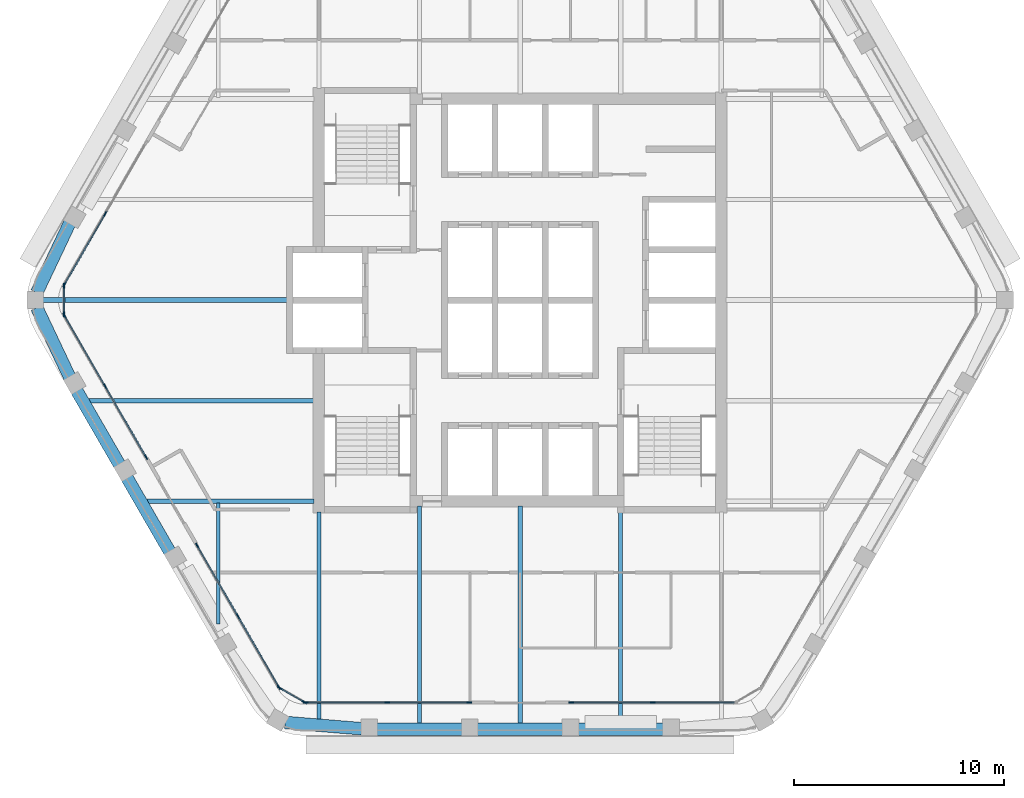
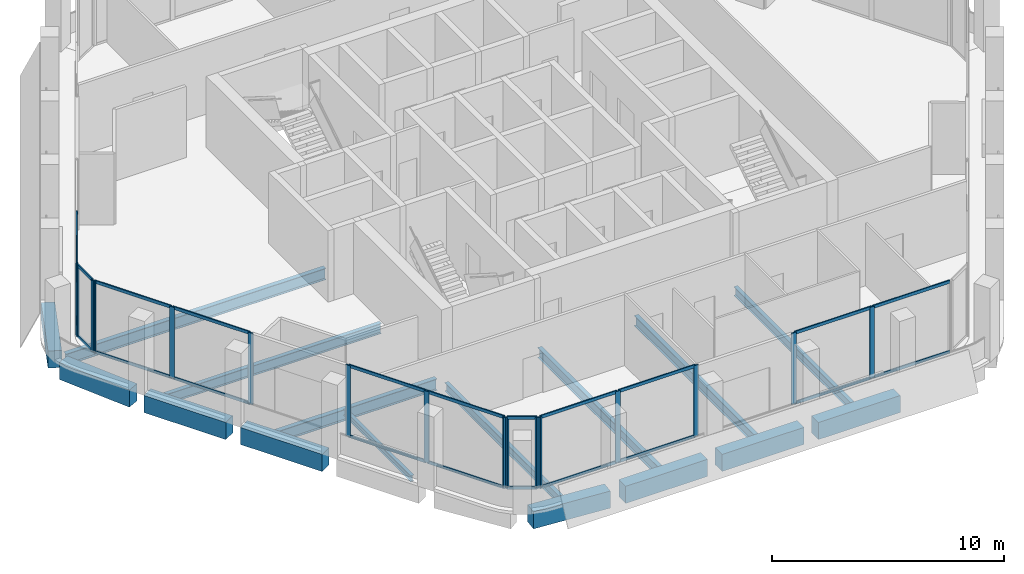
# One storey, part 2 of 13: 39 members, 16 beams, 7 elements without a shape of their own.
"""IFC4 building model written with IfcOpenShell, lengths in metres."""

from ifc_helpers import new_model, si_unit, direction, frame, origin, origin_2d, place, context, subcontext, project, spatial, rectangle, i_section, extrude, material, material_profile, profile_set, type_object, element, aggregate, save


model = new_model("IFC4")

# Units and contexts
model_context = context("Model", 3, precision=1e-05, world=origin(), true_north=direction((0.0, 1.0)))
body_context = subcontext(model_context, "Body", "Model", "MODEL_VIEW")
ifc_project = project(units=[si_unit("LENGTHUNIT", "METRE"), si_unit("AREAUNIT", "SQUARE_METRE"), si_unit("VOLUMEUNIT", "CUBIC_METRE"), si_unit("PLANEANGLEUNIT", "RADIAN"), si_unit("MASSUNIT", "GRAM", prefix="KILO")], contexts=[model_context])

# Site, building, storey
site_placement = place(None, origin())
site = spatial("IfcSite", under=ifc_project, at=site_placement, CompositionType="ELEMENT")
building_placement = place(site_placement, origin())
building = spatial("IfcBuilding", under=site, at=building_placement, Name="Kolab Exchange Tower", CompositionType="ELEMENT")
storey_placement = place(building_placement, frame((0.0, 0.0, 257.89990234375)))
storey = spatial("IfcBuildingStorey", under=building, at=storey_placement, Name="L57", CompositionType="ELEMENT", Elevation=257.89990234375)

# Beams
ifc_material_1 = material(Name="Steel S355", Category="steel")
ifc_material_profile_1 = material_profile(ifc_material_1, i_section(OverallWidth=0.1650390625, OverallDepth=0.31005859375, WebThickness=0.005859375, FlangeThickness=0.009765625, at=origin_2d()), Name="W310X39")
ifc_profile_set_1 = profile_set([ifc_material_profile_1], Name="Steel S355")
beam_type_1 = type_object("IfcBeamType", Name="FLOOR BEAM W310X39", PredefinedType="BEAM", material=ifc_profile_set_1)
beam_1_placement = place(storey_placement, frame((-14.39990234375, -15.4677734375, -0.304931640625), z_axis=(0.0, 1.0, 0.0), x_axis=(-1.0, 0.0, 0.0)))
element("IfcBeam", 1, at=beam_1_placement, inside=storey, type_object=beam_type_1, Name="beam/L57/fr/003", PredefinedType="BEAM", context=body_context, shape_type="SweptSolid", body=[
    extrude(i_section(OverallWidth=0.1650390625, OverallDepth=0.31005859375, WebThickness=0.005859375, FlangeThickness=0.009765625, at=origin_2d()), origin(), (0.0, 0.0, 1.0), 5.793701171875),
])
ifc_material_profile_2 = material_profile(ifc_material_1, i_section(OverallWidth=0.18994140625, OverallDepth=0.45703125, WebThickness=0.009033203125, FlangeThickness=0.014404296875, at=origin_2d()), Name="W460X74")
ifc_profile_set_2 = profile_set([ifc_material_profile_2], Name="Steel S355")
beam_type_2 = type_object("IfcBeamType", Name="FLOOR BEAM W460X74", PredefinedType="BEAM", material=ifc_profile_set_2)
beam_2_placement = place(storey_placement, frame((-9.60009765625, -20.027099609375, -0.37841796875), z_axis=(0.0, 1.0, 0.0), x_axis=(-1.0, 0.0, 0.0)))
element("IfcBeam", 2, at=beam_2_placement, inside=storey, type_object=beam_type_2, Name="beam/L57/fr/005", PredefinedType="BEAM", context=body_context, shape_type="SweptSolid", body=[
    extrude(i_section(OverallWidth=0.18994140625, OverallDepth=0.45703125, WebThickness=0.009033203125, FlangeThickness=0.014404296875, at=origin_2d()), origin(), (0.0, 0.0, 1.0), 9.9169921875),
])
beam_3_placement = place(storey_placement, frame((4.800048828125, -20.224609375, -0.37841796875), z_axis=(0.0, 1.0, 0.0), x_axis=(-1.0, 0.0, 0.0)))
element("IfcBeam", 3, at=beam_3_placement, inside=storey, type_object=beam_type_2, Name="beam/L57/fr/011", PredefinedType="BEAM", context=body_context, shape_type="SweptSolid", body=[
    extrude(i_section(OverallWidth=0.18994140625, OverallDepth=0.45703125, WebThickness=0.009033203125, FlangeThickness=0.014404296875, at=origin_2d()), origin(), (0.0, 0.0, 1.0), 10.114501953125),
])
ifc_material_profile_3 = material_profile(ifc_material_1, i_section(OverallWidth=0.208984375, OverallDepth=0.532958984375, WebThickness=0.01025390625, FlangeThickness=0.015625, at=origin_2d()), Name="W530X92")
ifc_profile_set_3 = profile_set([ifc_material_profile_3], Name="Steel S355")
beam_type_3 = type_object("IfcBeamType", Name="FLOOR BEAM W530X92", PredefinedType="BEAM", material=ifc_profile_set_3)
beam_4_placement = place(storey_placement, frame((-20.575927734375, -4.800048828125, -0.41650390625), z_axis=(1.0, 0.0, 0.0), x_axis=(0.0, 1.0, 0.0)))
element("IfcBeam", 4, at=beam_4_placement, inside=storey, type_object=beam_type_3, Name="beam/L57/fr/001", PredefinedType="BEAM", context=body_context, shape_type="SweptSolid", body=[
    extrude(i_section(OverallWidth=0.208984375, OverallDepth=0.532958984375, WebThickness=0.01025390625, FlangeThickness=0.015625, at=origin_2d()), origin(), (0.0, 0.0, 1.0), 10.740966796875),
])
for number, where, z_axis, x_axis, name in (
    (5, (-4.800048828125, -20.224609375, -0.41650390625), (0.0, 1.0, 0.0), (-1.0, 0.0, 0.0), "beam/L57/fr/007"),
    (6, (0.0, -20.224609375, -0.41650390625), (0.0, 1.0, 0.0), (-1.0, 0.0, 0.0), "beam/L57/fr/009"),
):
    element("IfcBeam", number, at=place(storey_placement, frame(where, z_axis=z_axis, x_axis=x_axis)), inside=storey, type_object=beam_type_3, Name=name, PredefinedType="BEAM", context=body_context, shape_type="SweptSolid", body=[
        extrude(i_section(OverallWidth=0.208984375, OverallDepth=0.532958984375, WebThickness=0.01025390625, FlangeThickness=0.015625, at=origin_2d()), origin(), (0.0, 0.0, 1.0), 10.3896484375),
    ])
ifc_material_profile_4 = material_profile(ifc_material_1, i_section(OverallWidth=0.22802734375, OverallDepth=0.60791015625, WebThickness=0.01123046875, FlangeThickness=0.017333984375, at=origin_2d()), Name="W610X113")
ifc_profile_set_4 = profile_set([ifc_material_profile_4], Name="Steel S355")
beam_type_4 = type_object("IfcBeamType", Name="FLOOR BEAM W610X113", PredefinedType="BEAM", material=ifc_profile_set_4)
beam_5_placement = place(storey_placement, frame((-22.77587890625, 0.0, -0.453857421875), z_axis=(1.0, 0.0, 0.0), x_axis=(0.0, 1.0, 0.0)))
element("IfcBeam", 7, at=beam_5_placement, inside=storey, type_object=beam_type_4, Name="beam/L57/fr/000", PredefinedType="BEAM", context=body_context, shape_type="SweptSolid", body=[
    extrude(i_section(OverallWidth=0.22802734375, OverallDepth=0.60791015625, WebThickness=0.01123046875, FlangeThickness=0.017333984375, at=origin_2d()), origin(), (0.0, 0.0, 1.0), 12.94091796875),
])
ifc_material_profile_5 = material_profile(ifc_material_1, i_section(OverallWidth=0.22802734375, OverallDepth=0.60791015625, WebThickness=0.01123046875, FlangeThickness=0.017333984375, at=origin_2d()), Name="W610X113")
ifc_profile_set_5 = profile_set([ifc_material_profile_5], Name="Steel S355")
beam_type_5 = type_object("IfcBeamType", Name="FLOOR GIRDER W610X113", PredefinedType="BEAM", material=ifc_profile_set_5)
beam_6_placement = place(storey_placement, frame((-17.8046875, -9.60009765625, -0.453857421875), z_axis=(1.0, 0.0, 0.0), x_axis=(0.0, 1.0, 0.0)))
element("IfcBeam", 8, at=beam_6_placement, inside=storey, type_object=beam_type_5, Name="beam/L57/gd/000", PredefinedType="BEAM", context=body_context, shape_type="SweptSolid", body=[
    extrude(i_section(OverallWidth=0.22802734375, OverallDepth=0.60791015625, WebThickness=0.01123046875, FlangeThickness=0.017333984375, at=origin_2d()), origin(), (0.0, 0.0, 1.0), 7.9697265625),
])
ifc_material_2 = material(Name="Concrete C50/60", Category="concrete")
ifc_material_profile_6 = material_profile(ifc_material_2, rectangle(XDim=0.60009765625, YDim=0.89990234375, at=origin_2d()), Name="RC600X900")
ifc_profile_set_6 = profile_set([ifc_material_profile_6], Name="Concrete C50/60")
beam_type_6 = type_object("IfcBeamType", Name="SPANDREL BEAM 600X900 C50/60", PredefinedType="BEAM", material=ifc_profile_set_6)
for number, where, z_axis, x_axis, name in (
    (9, (6.840087890625, -20.484619140625, -0.599853515625), (-1.0, 0.0, 0.0), (0.0, -1.0, 0.0), "beam/L57/sp/F4-02"),
    (10, (2.0400390625, -20.484619140625, -0.599853515625), (-1.0, 0.0, 0.0), (0.0, -1.0, 0.0), "beam/L57/sp/F4-03"),
    (11, (-2.760009765625, -20.484619140625, -0.599853515625), (-1.0, 0.0, 0.0), (0.0, -1.0, 0.0), "beam/L57/sp/F4-04"),
):
    element("IfcBeam", number, at=place(storey_placement, frame(where, z_axis=z_axis, x_axis=x_axis)), inside=storey, type_object=beam_type_6, Name=name, PredefinedType="BEAM", context=body_context, shape_type="SweptSolid", body=[
        extrude(rectangle(XDim=0.60009765625, YDim=0.89990234375, at=origin_2d()), origin(), (0.0, 0.0, 1.0), 4.080078125),
    ])
beam_7_placement = place(storey_placement, frame((-7.56005859375, -20.455078125, -0.599853515625), z_axis=(-0.996666751878, 0.081580547323, 0.0), x_axis=(-0.081580547323, -0.996666751878, 0.0)))
element("IfcBeam", 12, at=beam_7_placement, inside=storey, type_object=beam_type_6, Name="beam/L57/sp/F4-05", PredefinedType="BEAM", context=body_context, shape_type="SweptSolid", body=[
    extrude(rectangle(XDim=0.60009765625, YDim=0.89990234375, at=origin_2d()), origin(), (0.0, 0.0, 1.0), 3.6689453125),
])
for number, where, z_axis, x_axis, name in (
    (13, (-16.72021484375, -12.009033203125, -0.599853515625), (-0.500000428765, 0.866025156237, 0.0), (-0.866025156237, -0.500000428765, 0.0), "beam/L57/sp/F5-03"),
    (14, (-19.1201171875, -7.85205078125, -0.599853515625), (-0.500000428765, 0.866025156237, 0.0), (-0.866025156237, -0.500000428765, 0.0), "beam/L57/sp/F5-04"),
):
    element("IfcBeam", number, at=place(storey_placement, frame(where, z_axis=z_axis, x_axis=x_axis)), inside=storey, type_object=beam_type_6, Name=name, PredefinedType="BEAM", context=body_context, shape_type="SweptSolid", body=[
        extrude(rectangle(XDim=0.60009765625, YDim=0.89990234375, at=origin_2d()), origin(), (0.0, 0.0, 1.0), 4.080078125),
    ])
for number, where, z_axis, x_axis, name in (
    (15, (-21.49462890625, -3.68017578125, -0.599853515625), (-0.427677251998, 0.903931506323, 0.0), (-0.903931506323, -0.427677251998, 0.0), "beam/L57/sp/F5-05"),
    (16, (-23.063720703125, 0.36376953125, -0.599853515625), (0.427677251998, 0.903931506323, 0.0), (-0.903931506323, 0.427677251998, 0.0), "beam/L57/sp/F6-01"),
):
    element("IfcBeam", number, at=place(storey_placement, frame(where, z_axis=z_axis, x_axis=x_axis)), inside=storey, type_object=beam_type_6, Name=name, PredefinedType="BEAM", context=body_context, shape_type="SweptSolid", body=[
        extrude(rectangle(XDim=0.60009765625, YDim=0.89990234375, at=origin_2d()), origin(), (0.0, 0.0, 1.0), 3.6689453125),
    ])

# Curtain wall, members
ifc_material_3 = material(Name="Aluminium EN AW-6063 T6", Category="aluminium")
curtain_wall_type = type_object("IfcCurtainWallType", Name="UNITISED HIGH ZONE CURTAIN WALL", PredefinedType="NOTDEFINED", material=ifc_material_3)
curtain_wall_1_placement = place(storey_placement, origin())
curtain_wall_1 = element("IfcCurtainWall", 17, at=curtain_wall_1_placement, inside=storey, type_object=curtain_wall_type, Name="cw/L57/F4-1", PredefinedType="NOTDEFINED")
ifc_material_profile_7 = material_profile(ifc_material_3, rectangle(XDim=0.06005859375, YDim=0.239990234375, at=origin_2d()), Name="RECT 60X240")
ifc_profile_set_7 = profile_set([ifc_material_profile_7], Name="Aluminium EN AW-6063 T6")
member_type_1 = type_object("IfcMemberType", Name="UNITISED HIGH ZONE MULLION 60 X 240", PredefinedType="MULLION", material=ifc_profile_set_7)
member_1_placement = place(storey_placement, frame((6.333984375, -19.20458984375, 0.0), z_axis=(0.0, 0.0, 1.0), x_axis=(0.0, -1.0, 0.0)))
member_1 = element("IfcMember", 18, at=member_1_placement, type_object=member_type_1, Name="CW4 mullion 2", PredefinedType="MULLION", context=body_context, shape_type="SweptSolid", body=[
    extrude(rectangle(XDim=0.06005859375, YDim=0.239990234375, at=origin_2d()), origin(), (0.0, 0.0, 1.0), 3.75),
])
member_2_placement = place(storey_placement, frame((2.429931640625, -19.20458984375, 0.0), z_axis=(0.0, 0.0, 1.0), x_axis=(0.0, -1.0, 0.0)))
member_2 = element("IfcMember", 19, at=member_2_placement, type_object=member_type_1, Name="CW4 mullion 3", PredefinedType="MULLION", context=body_context, shape_type="SweptSolid", body=[
    extrude(rectangle(XDim=0.06005859375, YDim=0.239990234375, at=origin_2d()), origin(), (0.0, 0.0, 1.0), 3.75),
])

curtain_wall_2_placement = place(storey_placement, origin())
curtain_wall_2 = element("IfcCurtainWall", 20, at=curtain_wall_2_placement, inside=storey, type_object=curtain_wall_type, Name="cw/L57/F4-2", PredefinedType="NOTDEFINED")
member_3_placement = place(storey_placement, frame((-2.429931640625, -19.20458984375, 0.0), z_axis=(0.0, 0.0, 1.0), x_axis=(0.0, -1.0, 0.0)))
member_3 = element("IfcMember", 21, at=member_3_placement, type_object=member_type_1, Name="CW4 mullion 1", PredefinedType="MULLION", context=body_context, shape_type="SweptSolid", body=[
    extrude(rectangle(XDim=0.06005859375, YDim=0.239990234375, at=origin_2d()), origin(), (0.0, 0.0, 1.0), 3.75),
])
member_4_placement = place(storey_placement, frame((-6.333984375, -19.20458984375, 0.0), z_axis=(0.0, 0.0, 1.0), x_axis=(0.0, -1.0, 0.0)))
member_4 = element("IfcMember", 22, at=member_4_placement, type_object=member_type_1, Name="CW4 mullion 2", PredefinedType="MULLION", context=body_context, shape_type="SweptSolid", body=[
    extrude(rectangle(XDim=0.06005859375, YDim=0.239990234375, at=origin_2d()), origin(), (0.0, 0.0, 1.0), 3.75),
])
member_5_placement = place(storey_placement, frame((-10.238037109375, -19.20458984375, 0.0), z_axis=(0.0, 0.0, 1.0), x_axis=(0.0, -1.0, 0.0)))
member_5 = element("IfcMember", 23, at=member_5_placement, type_object=member_type_1, Name="CW4 mullion 3", PredefinedType="MULLION", context=body_context, shape_type="SweptSolid", body=[
    extrude(rectangle(XDim=0.06005859375, YDim=0.239990234375, at=origin_2d()), origin(), (0.0, 0.0, 1.0), 3.75),
])

curtain_wall_3_placement = place(storey_placement, origin())
curtain_wall_3 = element("IfcCurtainWall", 24, at=curtain_wall_3_placement, inside=storey, type_object=curtain_wall_type, Name="cw/L57/F5-1", PredefinedType="NOTDEFINED")
member_6_placement = place(storey_placement, frame((-11.5126953125, -18.46875, 0.0), z_axis=(0.0, 0.0, 1.0), x_axis=(-0.866025385493, -0.500000031681, 0.0)))
member_6 = element("IfcMember", 25, at=member_6_placement, type_object=member_type_1, Name="CW4 mullion 1", PredefinedType="MULLION", context=body_context, shape_type="SweptSolid", body=[
    extrude(rectangle(XDim=0.06005859375, YDim=0.239990234375, at=origin_2d()), origin(), (0.0, 0.0, 1.0), 3.75),
])
member_7_placement = place(storey_placement, frame((-13.464599609375, -15.087646484375, 0.0), z_axis=(0.0, 0.0, 1.0), x_axis=(-0.866025385493, -0.500000031681, 0.0)))
member_7 = element("IfcMember", 26, at=member_7_placement, type_object=member_type_1, Name="CW4 mullion 2", PredefinedType="MULLION", context=body_context, shape_type="SweptSolid", body=[
    extrude(rectangle(XDim=0.06005859375, YDim=0.239990234375, at=origin_2d()), origin(), (0.0, 0.0, 1.0), 3.75),
])
member_8_placement = place(storey_placement, frame((-15.416748046875, -11.706787109375, 0.0), z_axis=(0.0, 0.0, 1.0), x_axis=(-0.866025385493, -0.500000031681, 0.0)))
member_8 = element("IfcMember", 27, at=member_8_placement, type_object=member_type_1, Name="CW4 mullion 3", PredefinedType="MULLION", context=body_context, shape_type="SweptSolid", body=[
    extrude(rectangle(XDim=0.06005859375, YDim=0.239990234375, at=origin_2d()), origin(), (0.0, 0.0, 1.0), 3.75),
])

curtain_wall_4_placement = place(storey_placement, origin())
curtain_wall_4 = element("IfcCurtainWall", 28, at=curtain_wall_4_placement, inside=storey, type_object=curtain_wall_type, Name="cw/L57/F5-2", PredefinedType="NOTDEFINED")
member_9_placement = place(storey_placement, frame((-17.8466796875, -7.497802734375, 0.0), z_axis=(0.0, 0.0, 1.0), x_axis=(-0.866025440524, -0.499999936366, 0.0)))
member_9 = element("IfcMember", 29, at=member_9_placement, type_object=member_type_1, Name="CW4 mullion 1", PredefinedType="MULLION", context=body_context, shape_type="SweptSolid", body=[
    extrude(rectangle(XDim=0.06005859375, YDim=0.239990234375, at=origin_2d()), origin(), (0.0, 0.0, 1.0), 3.75),
])
member_10_placement = place(storey_placement, frame((-19.798583984375, -4.116943359375, 0.0), z_axis=(0.0, 0.0, 1.0), x_axis=(-0.866025440524, -0.499999936366, 0.0)))
member_10 = element("IfcMember", 30, at=member_10_placement, type_object=member_type_1, Name="CW4 mullion 2", PredefinedType="MULLION", context=body_context, shape_type="SweptSolid", body=[
    extrude(rectangle(XDim=0.06005859375, YDim=0.239990234375, at=origin_2d()), origin(), (0.0, 0.0, 1.0), 3.75),
])
member_11_placement = place(storey_placement, frame((-21.750732421875, -0.736083984375, 0.0), z_axis=(0.0, 0.0, 1.0), x_axis=(-0.866025440524, -0.499999936366, 0.0)))
member_11 = element("IfcMember", 31, at=member_11_placement, type_object=member_type_1, Name="CW4 mullion 3", PredefinedType="MULLION", context=body_context, shape_type="SweptSolid", body=[
    extrude(rectangle(XDim=0.06005859375, YDim=0.239990234375, at=origin_2d()), origin(), (0.0, 0.0, 1.0), 3.75),
])

curtain_wall_5_placement = place(storey_placement, origin())
curtain_wall_5 = element("IfcCurtainWall", 32, at=curtain_wall_5_placement, inside=storey, type_object=curtain_wall_type, Name="cw/L57/F6-1", PredefinedType="NOTDEFINED")
member_12_placement = place(storey_placement, frame((-21.750732421875, 0.736083984375, 0.0), z_axis=(0.0, 0.0, 1.0), x_axis=(-0.866025440524, 0.499999936366, 0.0)))
member_12 = element("IfcMember", 33, at=member_12_placement, type_object=member_type_1, Name="CW4 mullion 1", PredefinedType="MULLION", context=body_context, shape_type="SweptSolid", body=[
    extrude(rectangle(XDim=0.06005859375, YDim=0.239990234375, at=origin_2d()), origin(), (0.0, 0.0, 1.0), 3.75),
])
member_13_placement = place(storey_placement, frame((-19.798583984375, 4.116943359375, 0.0), z_axis=(0.0, 0.0, 1.0), x_axis=(-0.866025440524, 0.499999936366, 0.0)))
member_13 = element("IfcMember", 34, at=member_13_placement, type_object=member_type_1, Name="CW4 mullion 2", PredefinedType="MULLION", context=body_context, shape_type="SweptSolid", body=[
    extrude(rectangle(XDim=0.06005859375, YDim=0.239990234375, at=origin_2d()), origin(), (0.0, 0.0, 1.0), 3.75),
])

curtain_wall_6_placement = place(storey_placement, origin())
curtain_wall_6 = element("IfcCurtainWall", 35, at=curtain_wall_6_placement, inside=storey, type_object=curtain_wall_type, Name="cw/L57/F4F5-corner", PredefinedType="NOTDEFINED")
member_14_placement = place(storey_placement, frame((-10.2939453125, -19.189697265625, 0.0), z_axis=(0.0, 0.0, 1.0), x_axis=(-0.50000002237, -0.866025390869, 0.0)))
member_14 = element("IfcMember", 36, at=member_14_placement, type_object=member_type_1, Name="CW4 mullion 1", PredefinedType="MULLION", context=body_context, shape_type="SweptSolid", body=[
    extrude(rectangle(XDim=0.06005859375, YDim=0.239990234375, at=origin_2d()), origin(), (0.0, 0.0, 1.0), 3.75),
])
member_15_placement = place(storey_placement, frame((-11.4716796875, -18.509521484375, 0.0), z_axis=(0.0, 0.0, 1.0), x_axis=(-0.50000002237, -0.866025390869, 0.0)))
member_15 = element("IfcMember", 37, at=member_15_placement, type_object=member_type_1, Name="CW4 mullion 2", PredefinedType="MULLION", context=body_context, shape_type="SweptSolid", body=[
    extrude(rectangle(XDim=0.06005859375, YDim=0.239990234375, at=origin_2d()), origin(), (0.0, 0.0, 1.0), 3.75),
])

curtain_wall_7_placement = place(storey_placement, origin())
curtain_wall_7 = element("IfcCurtainWall", 38, at=curtain_wall_7_placement, inside=storey, type_object=curtain_wall_type, Name="cw/L57/F5F6-corner", PredefinedType="NOTDEFINED")
member_16_placement = place(storey_placement, frame((-21.765625, -0.679931640625, 0.0), z_axis=(0.0, 0.0, 1.0), x_axis=(-1.0, 0.0, 0.0)))
member_16 = element("IfcMember", 39, at=member_16_placement, type_object=member_type_1, Name="CW4 mullion 1", PredefinedType="MULLION", context=body_context, shape_type="SweptSolid", body=[
    extrude(rectangle(XDim=0.06005859375, YDim=0.239990234375, at=origin_2d()), origin(), (0.0, 0.0, 1.0), 3.75),
])
member_17_placement = place(storey_placement, frame((-21.765625, 0.679931640625, 0.0), z_axis=(0.0, 0.0, 1.0), x_axis=(-1.0, 0.0, 0.0)))
member_17 = element("IfcMember", 40, at=member_17_placement, type_object=member_type_1, Name="CW4 mullion 2", PredefinedType="MULLION", context=body_context, shape_type="SweptSolid", body=[
    extrude(rectangle(XDim=0.06005859375, YDim=0.239990234375, at=origin_2d()), origin(), (0.0, 0.0, 1.0), 3.75),
])

# Member
ifc_material_profile_8 = material_profile(ifc_material_3, rectangle(XDim=0.06005859375, YDim=0.159912109375, at=origin_2d()), Name="RECT 60X160")
ifc_profile_set_8 = profile_set([ifc_material_profile_8], Name="Aluminium EN AW-6063 T6")
member_type_2 = type_object("IfcMemberType", Name="UNITISED HIGH ZONE TRANSOM 60 X 160", PredefinedType="USERDEFINED", material=ifc_profile_set_8)
member_18_placement = place(storey_placement, frame((10.2080078125, -19.20458984375, 0.030029296875), z_axis=(-1.0, 0.0, 0.0), x_axis=(0.0, -1.0, 0.0)))
member_18 = element("IfcMember", 41, at=member_18_placement, type_object=member_type_2, Name="CW4 transom 1.1", ObjectType="TRANSOM", PredefinedType="USERDEFINED", context=body_context, shape_type="SweptSolid", body=[
    extrude(rectangle(XDim=0.06005859375, YDim=0.159912109375, at=origin_2d()), origin(), (0.0, 0.0, 1.0), 3.843994140625),
])

member_19_placement = place(storey_placement, frame((10.2080078125, -19.20458984375, 3.72021484375), z_axis=(-1.0, 0.0, 0.0), x_axis=(0.0, -1.0, 0.0)))
member_19 = element("IfcMember", 42, at=member_19_placement, type_object=member_type_2, Name="CW4 transom 1.2", ObjectType="TRANSOM", PredefinedType="USERDEFINED", context=body_context, shape_type="SweptSolid", body=[
    extrude(rectangle(XDim=0.06005859375, YDim=0.159912109375, at=origin_2d()), origin(), (0.0, 0.0, 1.0), 3.843994140625),
])

member_20_placement = place(storey_placement, frame((6.303955078125, -19.20458984375, 0.030029296875), z_axis=(-1.0, 0.0, 0.0), x_axis=(0.0, -1.0, 0.0)))
member_20 = element("IfcMember", 43, at=member_20_placement, type_object=member_type_2, Name="CW4 transom 2.1", ObjectType="TRANSOM", PredefinedType="USERDEFINED", context=body_context, shape_type="SweptSolid", body=[
    extrude(rectangle(XDim=0.06005859375, YDim=0.159912109375, at=origin_2d()), origin(), (0.0, 0.0, 1.0), 3.843994140625),
])

member_21_placement = place(storey_placement, frame((6.303955078125, -19.20458984375, 3.72021484375), z_axis=(-1.0, 0.0, 0.0), x_axis=(0.0, -1.0, 0.0)))
member_21 = element("IfcMember", 44, at=member_21_placement, type_object=member_type_2, Name="CW4 transom 2.2", ObjectType="TRANSOM", PredefinedType="USERDEFINED", context=body_context, shape_type="SweptSolid", body=[
    extrude(rectangle(XDim=0.06005859375, YDim=0.159912109375, at=origin_2d()), origin(), (0.0, 0.0, 1.0), 3.843994140625),
])

aggregate(curtain_wall_1, [member_1, member_2, member_18, member_19, member_20, member_21])

member_22_placement = place(storey_placement, frame((-2.4599609375, -19.20458984375, 0.030029296875), z_axis=(-1.0, 0.0, 0.0), x_axis=(0.0, -1.0, 0.0)))
member_22 = element("IfcMember", 45, at=member_22_placement, type_object=member_type_2, Name="CW4 transom 1.1", ObjectType="TRANSOM", PredefinedType="USERDEFINED", context=body_context, shape_type="SweptSolid", body=[
    extrude(rectangle(XDim=0.06005859375, YDim=0.159912109375, at=origin_2d()), origin(), (0.0, 0.0, 1.0), 3.843994140625),
])

member_23_placement = place(storey_placement, frame((-2.4599609375, -19.20458984375, 3.72021484375), z_axis=(-1.0, 0.0, 0.0), x_axis=(0.0, -1.0, 0.0)))
member_23 = element("IfcMember", 46, at=member_23_placement, type_object=member_type_2, Name="CW4 transom 1.2", ObjectType="TRANSOM", PredefinedType="USERDEFINED", context=body_context, shape_type="SweptSolid", body=[
    extrude(rectangle(XDim=0.06005859375, YDim=0.159912109375, at=origin_2d()), origin(), (0.0, 0.0, 1.0), 3.843994140625),
])

member_24_placement = place(storey_placement, frame((-6.364013671875, -19.20458984375, 0.030029296875), z_axis=(-1.0, 0.0, 0.0), x_axis=(0.0, -1.0, 0.0)))
member_24 = element("IfcMember", 47, at=member_24_placement, type_object=member_type_2, Name="CW4 transom 2.1", ObjectType="TRANSOM", PredefinedType="USERDEFINED", context=body_context, shape_type="SweptSolid", body=[
    extrude(rectangle(XDim=0.06005859375, YDim=0.159912109375, at=origin_2d()), origin(), (0.0, 0.0, 1.0), 3.843994140625),
])

member_25_placement = place(storey_placement, frame((-6.364013671875, -19.20458984375, 3.72021484375), z_axis=(-1.0, 0.0, 0.0), x_axis=(0.0, -1.0, 0.0)))
member_25 = element("IfcMember", 48, at=member_25_placement, type_object=member_type_2, Name="CW4 transom 2.2", ObjectType="TRANSOM", PredefinedType="USERDEFINED", context=body_context, shape_type="SweptSolid", body=[
    extrude(rectangle(XDim=0.06005859375, YDim=0.159912109375, at=origin_2d()), origin(), (0.0, 0.0, 1.0), 3.843994140625),
])

aggregate(curtain_wall_2, [member_3, member_4, member_5, member_22, member_23, member_24, member_25])

member_26_placement = place(storey_placement, frame((-11.527587890625, -18.442626953125, 0.030029296875), z_axis=(-0.500039492609, 0.866002601515, 0.0), x_axis=(-0.866002601515, -0.500039492609, 0.0)))
member_26 = element("IfcMember", 49, at=member_26_placement, type_object=member_type_2, Name="CW4 transom 1.1", ObjectType="TRANSOM", PredefinedType="USERDEFINED", context=body_context, shape_type="SweptSolid", body=[
    extrude(rectangle(XDim=0.06005859375, YDim=0.159912109375, at=origin_2d()), origin(), (0.0, 0.0, 1.0), 3.843994140625),
])

member_27_placement = place(storey_placement, frame((-11.527587890625, -18.442626953125, 3.72021484375), z_axis=(-0.500039492609, 0.866002601515, 0.0), x_axis=(-0.866002601515, -0.500039492609, 0.0)))
member_27 = element("IfcMember", 50, at=member_27_placement, type_object=member_type_2, Name="CW4 transom 1.2", ObjectType="TRANSOM", PredefinedType="USERDEFINED", context=body_context, shape_type="SweptSolid", body=[
    extrude(rectangle(XDim=0.06005859375, YDim=0.159912109375, at=origin_2d()), origin(), (0.0, 0.0, 1.0), 3.843994140625),
])

member_28_placement = place(storey_placement, frame((-13.479736328125, -15.061767578125, 0.030029296875), z_axis=(-0.499964356602, 0.866045981532, 0.0), x_axis=(-0.866045981532, -0.499964356602, 0.0)))
member_28 = element("IfcMember", 51, at=member_28_placement, type_object=member_type_2, Name="CW4 transom 2.1", ObjectType="TRANSOM", PredefinedType="USERDEFINED", context=body_context, shape_type="SweptSolid", body=[
    extrude(rectangle(XDim=0.06005859375, YDim=0.159912109375, at=origin_2d()), origin(), (0.0, 0.0, 1.0), 3.843994140625),
])

member_29_placement = place(storey_placement, frame((-13.479736328125, -15.061767578125, 3.72021484375), z_axis=(-0.499964356602, 0.866045981532, 0.0), x_axis=(-0.866045981532, -0.499964356602, 0.0)))
member_29 = element("IfcMember", 52, at=member_29_placement, type_object=member_type_2, Name="CW4 transom 2.2", ObjectType="TRANSOM", PredefinedType="USERDEFINED", context=body_context, shape_type="SweptSolid", body=[
    extrude(rectangle(XDim=0.06005859375, YDim=0.159912109375, at=origin_2d()), origin(), (0.0, 0.0, 1.0), 3.843994140625),
])

aggregate(curtain_wall_3, [member_6, member_7, member_8, member_26, member_27, member_28, member_29])

member_30_placement = place(storey_placement, frame((-17.861572265625, -7.471923828125, 0.030029296875), z_axis=(-0.500011990396, 0.866018481016, 0.0), x_axis=(-0.866018481016, -0.500011990396, 0.0)))
member_30 = element("IfcMember", 53, at=member_30_placement, type_object=member_type_2, Name="CW4 transom 1.1", ObjectType="TRANSOM", PredefinedType="USERDEFINED", context=body_context, shape_type="SweptSolid", body=[
    extrude(rectangle(XDim=0.06005859375, YDim=0.159912109375, at=origin_2d()), origin(), (0.0, 0.0, 1.0), 3.84423828125),
])

member_31_placement = place(storey_placement, frame((-17.861572265625, -7.471923828125, 3.72021484375), z_axis=(-0.500011990396, 0.866018481016, 0.0), x_axis=(-0.866018481016, -0.500011990396, 0.0)))
member_31 = element("IfcMember", 54, at=member_31_placement, type_object=member_type_2, Name="CW4 transom 1.2", ObjectType="TRANSOM", PredefinedType="USERDEFINED", context=body_context, shape_type="SweptSolid", body=[
    extrude(rectangle(XDim=0.06005859375, YDim=0.159912109375, at=origin_2d()), origin(), (0.0, 0.0, 1.0), 3.84423828125),
])

member_32_placement = place(storey_placement, frame((-19.813720703125, -4.0908203125, 0.030029296875), z_axis=(-0.499991857942, 0.866030104553, 0.0), x_axis=(-0.866030104553, -0.499991857942, 0.0)))
member_32 = element("IfcMember", 55, at=member_32_placement, type_object=member_type_2, Name="CW4 transom 2.1", ObjectType="TRANSOM", PredefinedType="USERDEFINED", context=body_context, shape_type="SweptSolid", body=[
    extrude(rectangle(XDim=0.06005859375, YDim=0.159912109375, at=origin_2d()), origin(), (0.0, 0.0, 1.0), 3.84375),
])

member_33_placement = place(storey_placement, frame((-19.813720703125, -4.0908203125, 3.72021484375), z_axis=(-0.499991857942, 0.866030104553, 0.0), x_axis=(-0.866030104553, -0.499991857942, 0.0)))
member_33 = element("IfcMember", 56, at=member_33_placement, type_object=member_type_2, Name="CW4 transom 2.2", ObjectType="TRANSOM", PredefinedType="USERDEFINED", context=body_context, shape_type="SweptSolid", body=[
    extrude(rectangle(XDim=0.06005859375, YDim=0.159912109375, at=origin_2d()), origin(), (0.0, 0.0, 1.0), 3.84375),
])

aggregate(curtain_wall_4, [member_9, member_10, member_11, member_30, member_31, member_32, member_33])

member_34_placement = place(storey_placement, frame((-21.735595703125, 0.761962890625, 0.030029296875), z_axis=(0.499991857942, 0.866030104553, 0.0), x_axis=(-0.866030104553, 0.499991857942, 0.0)))
member_34 = element("IfcMember", 57, at=member_34_placement, type_object=member_type_2, Name="CW4 transom 1.1", ObjectType="TRANSOM", PredefinedType="USERDEFINED", context=body_context, shape_type="SweptSolid", body=[
    extrude(rectangle(XDim=0.06005859375, YDim=0.159912109375, at=origin_2d()), origin(), (0.0, 0.0, 1.0), 3.84375),
])

member_35_placement = place(storey_placement, frame((-21.735595703125, 0.761962890625, 3.72021484375), z_axis=(0.499991857942, 0.866030104553, 0.0), x_axis=(-0.866030104553, 0.499991857942, 0.0)))
member_35 = element("IfcMember", 58, at=member_35_placement, type_object=member_type_2, Name="CW4 transom 1.2", ObjectType="TRANSOM", PredefinedType="USERDEFINED", context=body_context, shape_type="SweptSolid", body=[
    extrude(rectangle(XDim=0.06005859375, YDim=0.159912109375, at=origin_2d()), origin(), (0.0, 0.0, 1.0), 3.84375),
])

aggregate(curtain_wall_5, [member_12, member_13, member_34, member_35])

member_36_placement = place(storey_placement, frame((-10.31982421875, -19.174560546875, 0.030029296875), z_axis=(-0.866085525409, 0.49989585183, 0.0), x_axis=(-0.49989585183, -0.866085525409, 0.0)))
member_36 = element("IfcMember", 59, at=member_36_placement, type_object=member_type_2, Name="CW4 transom 1.1", ObjectType="TRANSOM", PredefinedType="USERDEFINED", context=body_context, shape_type="SweptSolid", body=[
    extrude(rectangle(XDim=0.06005859375, YDim=0.159912109375, at=origin_2d()), origin(), (0.0, 0.0, 1.0), 1.300048828125),
])

member_37_placement = place(storey_placement, frame((-10.31982421875, -19.174560546875, 3.72021484375), z_axis=(-0.866085525409, 0.49989585183, 0.0), x_axis=(-0.49989585183, -0.866085525409, 0.0)))
member_37 = element("IfcMember", 60, at=member_37_placement, type_object=member_type_2, Name="CW4 transom 1.2", ObjectType="TRANSOM", PredefinedType="USERDEFINED", context=body_context, shape_type="SweptSolid", body=[
    extrude(rectangle(XDim=0.06005859375, YDim=0.159912109375, at=origin_2d()), origin(), (0.0, 0.0, 1.0), 1.300048828125),
])

aggregate(curtain_wall_6, [member_14, member_15, member_36, member_37])

member_38_placement = place(storey_placement, frame((-21.765625, -0.64990234375, 0.030029296875), z_axis=(0.0, 1.0, 0.0), x_axis=(-1.0, 0.0, 0.0)))
member_38 = element("IfcMember", 61, at=member_38_placement, type_object=member_type_2, Name="CW4 transom 1.1", ObjectType="TRANSOM", PredefinedType="USERDEFINED", context=body_context, shape_type="SweptSolid", body=[
    extrude(rectangle(XDim=0.06005859375, YDim=0.159912109375, at=origin_2d()), origin(), (0.0, 0.0, 1.0), 1.2998046875),
])

member_39_placement = place(storey_placement, frame((-21.765625, -0.64990234375, 3.72021484375), z_axis=(0.0, 1.0, 0.0), x_axis=(-1.0, 0.0, 0.0)))
member_39 = element("IfcMember", 62, at=member_39_placement, type_object=member_type_2, Name="CW4 transom 1.2", ObjectType="TRANSOM", PredefinedType="USERDEFINED", context=body_context, shape_type="SweptSolid", body=[
    extrude(rectangle(XDim=0.06005859375, YDim=0.159912109375, at=origin_2d()), origin(), (0.0, 0.0, 1.0), 1.2998046875),
])

aggregate(curtain_wall_7, [member_16, member_17, member_38, member_39])

save(model, "model.ifc")
